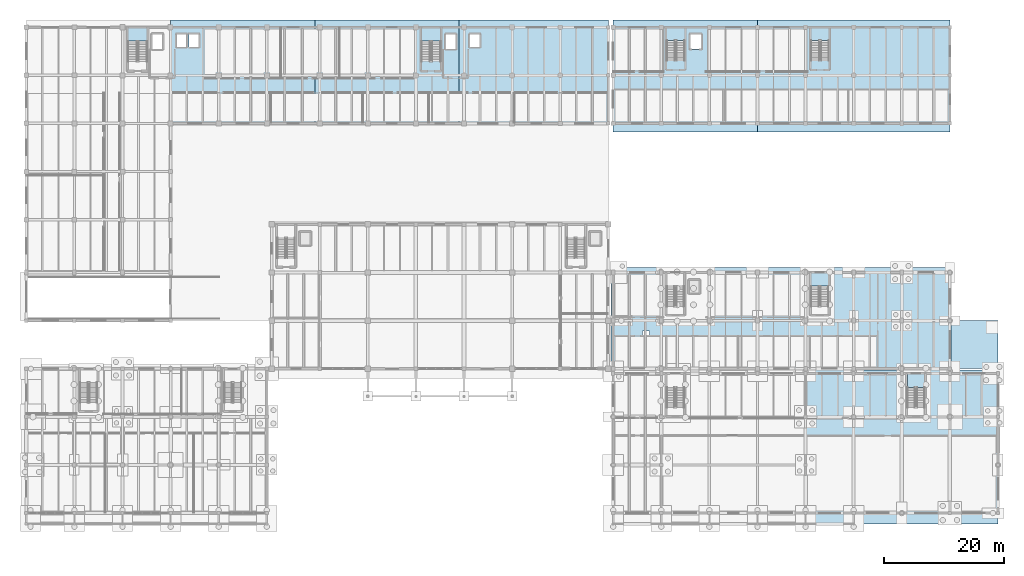
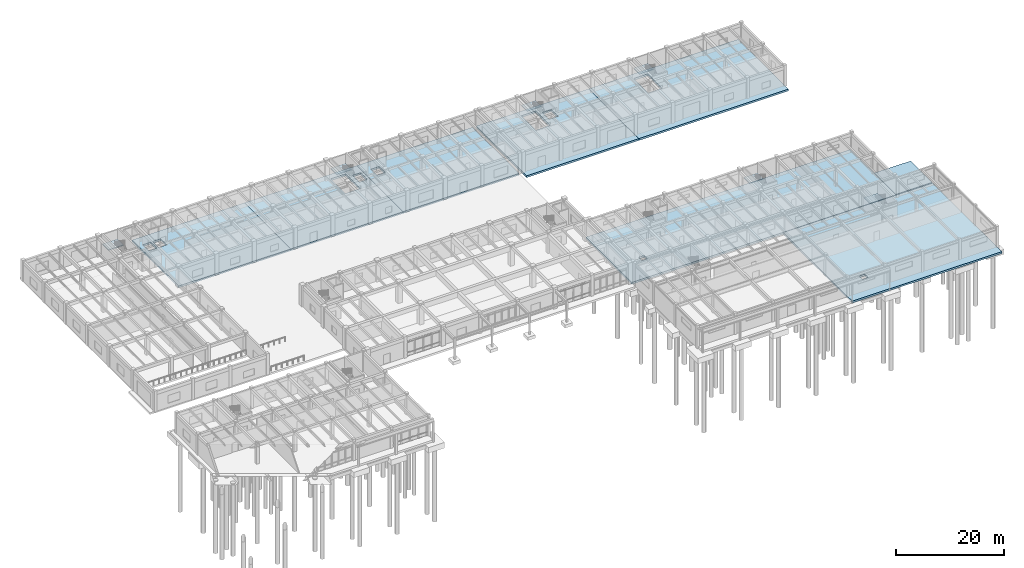
# One storey, part 30 of 64: 14 slabs, 6 elements without a shape of their own.
"""IFC4 building model written with IfcOpenShell, lengths in metres."""

from ifc_helpers import new_model, si_unit, direction, frame, origin, place, context, subcontext, project, spatial, polyline, outline, extrude, material, layer, layer_set, type_object, element, aggregate, save


model = new_model("IFC4")

# Units and contexts
model_context = context("Model", 3, precision=1e-05, world=origin(), true_north=direction((0.0, 1.0)))
body_context = subcontext(model_context, "Body", "Model", "MODEL_VIEW")
ifc_project = project(units=[si_unit("LENGTHUNIT", "METRE"), si_unit("AREAUNIT", "SQUARE_METRE"), si_unit("VOLUMEUNIT", "CUBIC_METRE"), si_unit("PLANEANGLEUNIT", "RADIAN"), si_unit("MASSUNIT", "GRAM", prefix="KILO")], contexts=[model_context])

# Site, building, storey
site_placement = place(None, origin())
site = spatial("IfcSite", under=ifc_project, at=site_placement, CompositionType="ELEMENT")
building_placement = place(site_placement, origin())
building = spatial("IfcBuilding", under=site, at=building_placement, Name="Tlaxcora Railside Police Headquarters", CompositionType="ELEMENT")
storey_placement = place(building_placement, origin())
storey = spatial("IfcBuildingStorey", under=building, at=storey_placement, Name="L00", CompositionType="ELEMENT", Elevation=0.0)

# Slabs
ifc_material_1 = material(Name="Concrete C35/45", Category="concrete")
ifc_layer_1 = layer(ifc_material_1, 0.405029296875, Name="Concrete C35/45")
ifc_layer_set_1 = layer_set([ifc_layer_1], Name="Concrete C35/45")
slab_type_1 = type_object("IfcSlabType", Name="Basement Base Slab SL-18", PredefinedType="BASESLAB", material=ifc_layer_set_1)
slab_1_placement = place(storey_placement, frame((0.0, 0.0, -0.405029296875)))
element("IfcSlab", 1, at=slab_1_placement, inside=storey, type_object=slab_type_1, Name="L00 Firing Range structural mat", PredefinedType="BASESLAB", context=body_context, shape_type="SweptSolid", body=[
    extrude(outline(polyline([(166.800048828125, 10.199951171875), (166.800048828125, 35.800048828125), (134.800048828125, 35.800048828125), (134.800048828125, 10.199951171875), (166.800048828125, 10.199951171875)]), holes=[polyline([(141.199951171875, 15.39990234375), (140.0, 15.39990234375), (140.0, 16.60009765625), (141.199951171875, 16.60009765625), (141.199951171875, 15.39990234375)])]), origin(), (0.0, 0.0, 1.0), 0.405029296875),
])
ifc_layer_2 = layer(ifc_material_1, 0.429931640625, Name="Concrete C35/45")
ifc_layer_set_2 = layer_set([ifc_layer_2], Name="Concrete C35/45")
slab_type_2 = type_object("IfcSlabType", Name="Basement Base Slab SL-20", PredefinedType="BASESLAB", material=ifc_layer_set_2)
slab_2_placement = place(storey_placement, frame((0.0, 0.0, -0.429931640625)))
element("IfcSlab", 2, at=slab_2_placement, inside=storey, type_object=slab_type_2, Name="L00 Custody Suite structural mat", PredefinedType="BASESLAB", context=body_context, shape_type="SweptSolid", body=[
    extrude(outline(polyline([(159.0, 35.85009765625), (159.0, 52.800048828125), (102.449951171875, 52.800048828125), (102.449951171875, 35.85009765625), (159.0, 35.85009765625)]), holes=[polyline([(108.85009765625, 41.050048828125), (107.64990234375, 41.050048828125), (107.64990234375, 42.25), (108.85009765625, 42.25), (108.85009765625, 41.050048828125)])]), origin(), (0.0, 0.0, 1.0), 0.429931640625),
])
ifc_layer_3 = layer(ifc_material_1, 0.39990234375, Name="Concrete C35/45")
ifc_layer_set_3 = layer_set([ifc_layer_3], Name="Concrete C35/45")
slab_type_3 = type_object("IfcSlabType", Name="Basement Base Slab SL-96", PredefinedType="BASESLAB", material=ifc_layer_set_3)
slab_3_placement = place(storey_placement, frame((0.0, 0.0, -0.39990234375)))
element("IfcSlab", 3, at=slab_3_placement, inside=storey, type_object=slab_type_3, Name="Sallyport exterior vehicle apron", PredefinedType="BASESLAB", context=body_context, shape_type="SweptSolid", body=[
    extrude(outline(polyline([(166.800048828125, 36.0), (166.800048828125, 44.0), (159.02001953125, 44.0), (159.02001953125, 36.0), (166.800048828125, 36.0)])), origin(), (0.0, 0.0, 1.0), 0.39990234375),
])

# Stair, slab
ifc_material_2 = material(Name="Concrete C40/50", Category="concrete")
stair_type_1 = type_object("IfcStairType", Name="Half-Turn Dog-Leg Stair ST-66", PredefinedType="HALF_TURN_STAIR", material=ifc_material_2)
stair_1_placement = place(storey_placement, origin())
stair_1 = element("IfcStair", 4, at=stair_1_placement, inside=storey, type_object=stair_type_1, Name="L00 ST1", PredefinedType="HALF_TURN_STAIR")
ifc_layer_4 = layer(ifc_material_1, 0.199951171875, Name="Concrete C35/45")
ifc_layer_set_4 = layer_set([ifc_layer_4], Name="Concrete C35/45")
slab_type_4 = type_object("IfcSlabType", Name="Stair Landing Slab SL-23", PredefinedType="LANDING", material=ifc_layer_set_4)
slab_4_placement = place(storey_placement, frame((0.0, 0.0, 2.199951171875)))
slab_4 = element("IfcSlab", 5, at=slab_4_placement, type_object=slab_type_4, Name="ST1 landing 1", PredefinedType="LANDING", context=body_context, shape_type="SweptSolid", body=[
    extrude(outline(polyline([(25.31005859375, 90.469970703125), (25.31005859375, 92.68994140625), (22.110107421875, 92.68994140625), (22.110107421875, 90.469970703125), (25.31005859375, 90.469970703125)])), origin(), (0.0, 0.0, 1.0), 0.199951171875),
])
aggregate(stair_1, [slab_4])

stair_2_placement = place(storey_placement, origin())
stair_2 = element("IfcStair", 6, at=stair_2_placement, inside=storey, type_object=stair_type_1, Name="L00 ST2", PredefinedType="HALF_TURN_STAIR")
slab_5_placement = place(storey_placement, frame((0.0, 0.0, 2.199951171875)))
slab_5 = element("IfcSlab", 7, at=slab_5_placement, type_object=slab_type_4, Name="ST2 landing 1", PredefinedType="LANDING", context=body_context, shape_type="SweptSolid", body=[
    extrude(outline(polyline([(74.110107421875, 90.469970703125), (74.110107421875, 92.68994140625), (70.909912109375, 92.68994140625), (70.909912109375, 90.469970703125), (74.110107421875, 90.469970703125)])), origin(), (0.0, 0.0, 1.0), 0.199951171875),
])
aggregate(stair_2, [slab_5])

stair_type_2 = type_object("IfcStairType", Name="Half-Turn Dog-Leg Stair ST-67", PredefinedType="HALF_TURN_STAIR", material=ifc_material_2)
stair_3_placement = place(storey_placement, origin())
stair_3 = element("IfcStair", 8, at=stair_3_placement, inside=storey, type_object=stair_type_2, Name="L00 ST3", PredefinedType="HALF_TURN_STAIR")
slab_6_placement = place(storey_placement, frame((0.0, 0.0, 2.199951171875)))
slab_6 = element("IfcSlab", 9, at=slab_6_placement, type_object=slab_type_4, Name="ST3 landing 1", PredefinedType="LANDING", context=body_context, shape_type="SweptSolid", body=[
    extrude(outline(polyline([(114.7099609375, 90.570068359375), (114.7099609375, 92.68994140625), (111.7099609375, 92.68994140625), (111.7099609375, 90.570068359375), (114.7099609375, 90.570068359375)])), origin(), (0.0, 0.0, 1.0), 0.199951171875),
])
aggregate(stair_3, [slab_6])

stair_4_placement = place(storey_placement, origin())
stair_4 = element("IfcStair", 10, at=stair_4_placement, inside=storey, type_object=stair_type_2, Name="L00 ST8", PredefinedType="HALF_TURN_STAIR")
slab_7_placement = place(storey_placement, frame((0.0, 0.0, 2.199951171875)))
slab_7 = element("IfcSlab", 11, at=slab_7_placement, type_object=slab_type_4, Name="ST8 landing 1", PredefinedType="LANDING", context=body_context, shape_type="SweptSolid", body=[
    extrude(outline(polyline([(138.7099609375, 90.570068359375), (138.7099609375, 92.68994140625), (135.7099609375, 92.68994140625), (135.7099609375, 90.570068359375), (138.7099609375, 90.570068359375)])), origin(), (0.0, 0.0, 1.0), 0.199951171875),
])
aggregate(stair_4, [slab_7])

stair_type_3 = type_object("IfcStairType", Name="Half-Turn Dog-Leg Stair ST-42", PredefinedType="HALF_TURN_STAIR", material=ifc_material_2)
stair_5_placement = place(storey_placement, origin())
stair_5 = element("IfcStair", 12, at=stair_5_placement, inside=storey, type_object=stair_type_3, Name="L00 ST11", PredefinedType="HALF_TURN_STAIR")
slab_8_placement = place(storey_placement, frame((0.0, 0.0, 2.199951171875)))
slab_8 = element("IfcSlab", 13, at=slab_8_placement, type_object=slab_type_4, Name="ST11 landing 1", PredefinedType="LANDING", context=body_context, shape_type="SweptSolid", body=[
    extrude(outline(polyline([(138.610107421875, 49.719970703125), (138.610107421875, 51.889892578125), (135.7099609375, 51.889892578125), (135.7099609375, 49.719970703125), (138.610107421875, 49.719970703125)])), origin(), (0.0, 0.0, 1.0), 0.199951171875),
])
aggregate(stair_5, [slab_8])

stair_6_placement = place(storey_placement, origin())
stair_6 = element("IfcStair", 14, at=stair_6_placement, inside=storey, type_object=stair_type_3, Name="L00 ST12", PredefinedType="HALF_TURN_STAIR")
slab_9_placement = place(storey_placement, frame((0.0, 0.0, 2.199951171875)))
slab_9 = element("IfcSlab", 15, at=slab_9_placement, type_object=slab_type_4, Name="ST12 landing 1", PredefinedType="LANDING", context=body_context, shape_type="SweptSolid", body=[
    extrude(outline(polyline([(154.610107421875, 32.919921875), (154.610107421875, 35.090087890625), (151.7099609375, 35.090087890625), (151.7099609375, 32.919921875), (154.610107421875, 32.919921875)])), origin(), (0.0, 0.0, 1.0), 0.199951171875),
])
aggregate(stair_6, [slab_9])

# Slabs
ifc_layer_5 = layer(ifc_material_2, 0.419921875, Name="Concrete C40/50")
ifc_layer_set_5 = layer_set([ifc_layer_5], Name="Concrete C40/50")
slab_type_5 = type_object("IfcSlabType", Name="Suspended Floor Slab SL-80", PredefinedType="FLOOR", material=ifc_layer_set_5)
slab_10_placement = place(storey_placement, frame((0.0, 0.0, -0.419921875)))
element("IfcSlab", 16, at=slab_10_placement, inside=storey, type_object=slab_type_5, Name="V5 L00 floor slab zone 2", PredefinedType="FLOOR", context=body_context, shape_type="SweptSolid", body=[
    extrude(outline(polyline([(53.199951171875, 76.800048828125), (53.199951171875, 94.0), (29.199951171875, 94.0), (29.199951171875, 76.800048828125), (53.199951171875, 76.800048828125)]), holes=[polyline([(31.85009765625, 91.64990234375), (31.85009765625, 89.449951171875), (30.14990234375, 89.449951171875), (30.14990234375, 91.64990234375), (31.85009765625, 91.64990234375)]), polyline([(33.949951171875, 89.449951171875), (32.25, 89.449951171875), (32.25, 91.64990234375), (33.949951171875, 91.64990234375), (33.949951171875, 89.449951171875)])]), origin(), (0.0, 0.0, 1.0), 0.419921875),
])
slab_11_placement = place(storey_placement, frame((0.0, 0.0, -0.419921875)))
element("IfcSlab", 17, at=slab_11_placement, inside=storey, type_object=slab_type_5, Name="V5 L00 floor slab zone 3", PredefinedType="FLOOR", context=body_context, shape_type="SweptSolid", body=[
    extrude(outline(polyline([(77.199951171875, 76.800048828125), (77.199951171875, 94.0), (53.199951171875, 94.0), (53.199951171875, 76.800048828125), (77.199951171875, 76.800048828125)]), holes=[polyline([(70.909912109375, 87.25), (70.909912109375, 92.68994140625), (74.110107421875, 92.68994140625), (74.110107421875, 87.25), (70.909912109375, 87.25)]), polyline([(74.949951171875, 91.64990234375), (76.64990234375, 91.64990234375), (76.64990234375, 89.14990234375), (74.949951171875, 89.14990234375), (74.949951171875, 91.64990234375)])]), origin(), (0.0, 0.0, 1.0), 0.419921875),
])
slab_12_placement = place(storey_placement, frame((0.0, 0.0, -0.419921875)))
element("IfcSlab", 18, at=slab_12_placement, inside=storey, type_object=slab_type_5, Name="V5 L00 floor slab zone 4", PredefinedType="FLOOR", context=body_context, shape_type="SweptSolid", body=[
    extrude(outline(polyline([(102.0, 94.0), (77.199951171875, 94.0), (77.199951171875, 76.800048828125), (102.0, 76.800048828125), (102.0, 92.800048828125), (102.0, 94.0)]), holes=[polyline([(80.64990234375, 91.64990234375), (80.64990234375, 89.449951171875), (78.949951171875, 89.449951171875), (78.949951171875, 91.64990234375), (80.64990234375, 91.64990234375)])]), origin(), (0.0, 0.0, 1.0), 0.419921875),
])
slab_13_placement = place(storey_placement, frame((0.0, 0.0, -0.419921875)))
element("IfcSlab", 19, at=slab_13_placement, inside=storey, type_object=slab_type_5, Name="V6 L00 floor slab zone 1", PredefinedType="FLOOR", context=body_context, shape_type="SweptSolid", body=[
    extrude(outline(polyline([(102.800048828125, 92.800048828125), (102.800048828125, 76.800048828125), (102.800048828125, 75.39990234375), (126.800048828125, 75.39990234375), (126.800048828125, 94.0), (102.800048828125, 94.0), (102.800048828125, 92.800048828125)]), holes=[polyline([(111.7099609375, 92.68994140625), (114.7099609375, 92.68994140625), (114.7099609375, 87.35009765625), (111.7099609375, 87.35009765625), (111.7099609375, 92.68994140625)]), polyline([(117.449951171875, 91.64990234375), (117.449951171875, 89.14990234375), (115.550048828125, 89.14990234375), (115.550048828125, 91.64990234375), (117.449951171875, 91.64990234375)])]), origin(), (0.0, 0.0, 1.0), 0.419921875),
])
slab_14_placement = place(storey_placement, frame((0.0, 0.0, -0.419921875)))
element("IfcSlab", 20, at=slab_14_placement, inside=storey, type_object=slab_type_5, Name="V6 L00 floor slab zone 2", PredefinedType="FLOOR", context=body_context, shape_type="SweptSolid", body=[
    extrude(outline(polyline([(126.800048828125, 94.0), (126.800048828125, 75.39990234375), (158.800048828125, 75.39990234375), (158.800048828125, 76.800048828125), (158.800048828125, 92.800048828125), (158.800048828125, 94.0), (126.800048828125, 94.0)]), holes=[polyline([(138.7099609375, 87.35009765625), (135.7099609375, 87.35009765625), (135.7099609375, 92.68994140625), (138.7099609375, 92.68994140625), (138.7099609375, 87.35009765625)])]), origin(), (0.0, 0.0, 1.0), 0.419921875),
])

save(model, "model.ifc")
